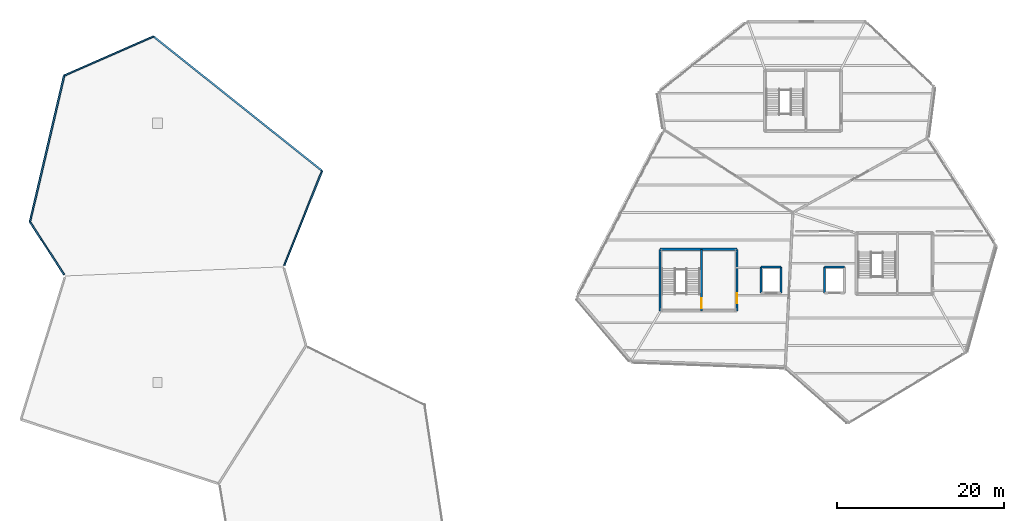
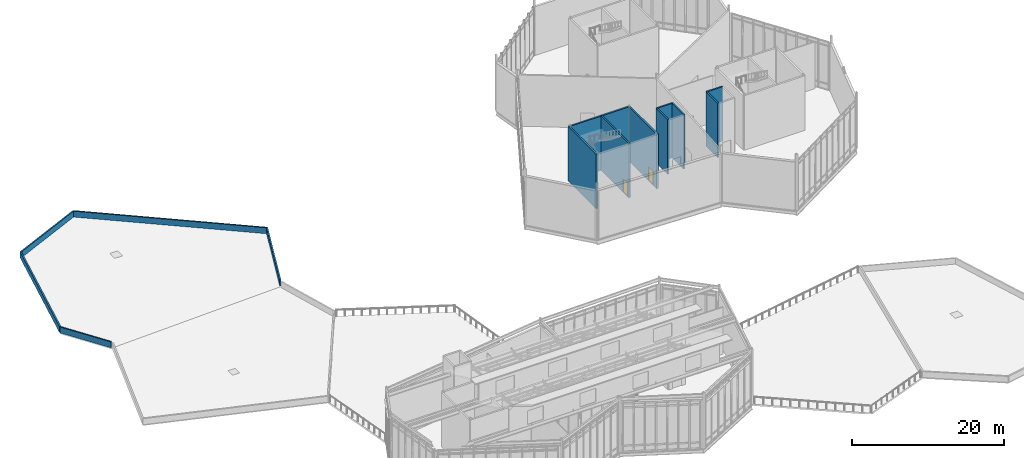
# One storey, part 59 of 66: 14 walls, 2 doors, 2 openings.
"""IFC4 building model written with IfcOpenShell, lengths in metres."""

from ifc_helpers import new_model, si_unit, direction, frame, frame_2d, origin, place, context, subcontext, project, spatial, rectangle, extrude, material, layer, layer_set, type_object, element, fill, save


model = new_model("IFC4")

# Units and contexts
model_context = context("Model", 3, precision=1e-05, world=origin(), true_north=direction((0.0, 1.0)))
body_context = subcontext(model_context, "Body", "Model", "MODEL_VIEW")
ifc_project = project(units=[si_unit("LENGTHUNIT", "METRE"), si_unit("AREAUNIT", "SQUARE_METRE"), si_unit("VOLUMEUNIT", "CUBIC_METRE"), si_unit("PLANEANGLEUNIT", "RADIAN"), si_unit("MASSUNIT", "GRAM", prefix="KILO")], contexts=[model_context])

# Site, building, storey
site_placement = place(None, origin())
site = spatial("IfcSite", under=ifc_project, at=site_placement, CompositionType="ELEMENT")
building_placement = place(site_placement, origin())
building = spatial("IfcBuilding", under=site, at=building_placement, Name="Tameran Prism Museum", CompositionType="ELEMENT")
storey_placement = place(building_placement, frame((0.0, 0.0, 19.800048828125)))
storey = spatial("IfcBuildingStorey", under=building, at=storey_placement, Name="L04", CompositionType="ELEMENT", Elevation=19.800048828125)

# Walls
ifc_material_1 = material(Name="Precast Concrete N40 (40 MPa)", Category="concrete")
ifc_layer_1 = layer(ifc_material_1, 0.195068359375)
ifc_layer_set_1 = layer_set([ifc_layer_1])
wall_type_1 = type_object("IfcWallType", Name="EW-PAR-195", PredefinedType="PARAPET", material=ifc_layer_set_1)
wall_1_placement = place(storey_placement, frame((57.866943359375, 82.76708984375, 0.0), z_axis=(0.0, 0.0, 1.0), x_axis=(0.371373433358, 0.928483587898, 0.0)))
element("IfcWall", 1, at=wall_1_placement, inside=storey, type_object=wall_type_1, Name="Roof Parapet EP-025", PredefinedType="PARAPET", context=body_context, shape_type="SweptSolid", body=[
    extrude(rectangle(XDim=12.205810546875, YDim=0.195068359375, at=frame_2d((6.10302734375, 0.0))), origin(), (0.0, 0.0, 1.0), 0.949951171875),
])
wall_2_placement = place(storey_placement, frame((42.199951171875, 110.199951171875, 0.0), z_axis=(0.0, 0.0, 1.0), x_axis=(-0.915568057854, -0.40216306573, 0.0)))
element("IfcWall", 2, at=wall_2_placement, inside=storey, type_object=wall_type_1, Name="Roof Parapet EP-027", PredefinedType="PARAPET", context=body_context, shape_type="SweptSolid", body=[
    extrude(rectangle(XDim=11.686767578125, YDim=0.195068359375, at=frame_2d((5.84326171875, 0.0))), origin(), (0.0, 0.0, 1.0), 0.949951171875),
])
wall_3_placement = place(storey_placement, frame((27.39990234375, 88.0, 0.0), z_axis=(0.0, 0.0, 1.0), x_axis=(0.542672619373, -0.839944300643, 0.0)))
element("IfcWall", 3, at=wall_3_placement, inside=storey, type_object=wall_type_1, Name="Roof Parapet EP-029", PredefinedType="PARAPET", context=body_context, shape_type="SweptSolid", body=[
    extrude(rectangle(XDim=7.55908203125, YDim=0.195068359375, at=frame_2d((3.779541015625, 0.0))), origin(), (0.0, 0.0, 1.0), 0.949951171875),
])
ifc_material_2 = material(Name="Precast Concrete N40 (40 MPa)", Category="concrete")
ifc_layer_2 = layer(ifc_material_2, 0.215087890625)
ifc_layer_set_2 = layer_set([ifc_layer_2])
wall_type_2 = type_object("IfcWallType", Name="EW-PAR-215", PredefinedType="PARAPET", material=ifc_layer_set_2)
wall_4_placement = place(storey_placement, frame((62.39990234375, 94.10009765625, 0.0), z_axis=(0.0, 0.0, 1.0), x_axis=(-0.78200261515, 0.623275147827, 0.0)))
element("IfcWall", 4, at=wall_4_placement, inside=storey, type_object=wall_type_2, Name="Roof Parapet EP-026", PredefinedType="PARAPET", context=body_context, shape_type="SweptSolid", body=[
    extrude(rectangle(XDim=25.8310546875, YDim=0.215087890625, at=frame_2d((12.91552734375, 0.0))), origin(), (0.0, 0.0, 1.0), 0.949951171875),
])
wall_5_placement = place(storey_placement, frame((31.5, 105.5, 0.0), z_axis=(0.0, 0.0, 1.0), x_axis=(-0.228114067381, -0.973634414071, 0.0)))
element("IfcWall", 5, at=wall_5_placement, inside=storey, type_object=wall_type_2, Name="Roof Parapet EP-028", PredefinedType="PARAPET", context=body_context, shape_type="SweptSolid", body=[
    extrude(rectangle(XDim=17.973876953125, YDim=0.215087890625, at=frame_2d((8.98681640625, 0.0))), origin(), (0.0, 0.0, 1.0), 0.949951171875),
])
ifc_material_3 = material(Name="Concrete N40 (40 MPa)", Category="concrete")
ifc_layer_3 = layer(ifc_material_3, 0.25)
ifc_layer_set_3 = layer_set([ifc_layer_3])
wall_type_3 = type_object("IfcWallType", Name="IW-COR-250", PredefinedType="SHEAR", material=ifc_layer_set_3)
wall_6_placement = place(storey_placement, frame((102.89990234375, 77.300048828125, 0.0), z_axis=(0.0, 0.0, 1.0), x_axis=(0.0, 1.0, 0.0)))
element("IfcWall", 6, at=wall_6_placement, inside=storey, type_object=wall_type_3, Name="Core Shear Wall CW-1-L04-W", PredefinedType="SHEAR", context=body_context, shape_type="SweptSolid", body=[
    extrude(rectangle(XDim=7.39990234375, YDim=0.25, at=frame_2d((3.699951171875, 0.0))), origin(), (0.0, 0.0, 1.0), 8.760009765625),
])
wall_7_placement = place(storey_placement, frame((102.89990234375, 84.699951171875, 0.0), z_axis=(0.0, 0.0, 1.0), x_axis=(1.0, 0.0, 0.0)))
element("IfcWall", 7, at=wall_7_placement, inside=storey, type_object=wall_type_3, Name="Core Shear Wall CW-1-L04-N", PredefinedType="SHEAR", context=body_context, shape_type="SweptSolid", body=[
    extrude(rectangle(XDim=9.2001953125, YDim=0.25, at=frame_2d((4.60009765625, 0.0))), origin(), (0.0, 0.0, 1.0), 8.760009765625),
])

# Wall, opening, door
wall_8_placement = place(storey_placement, frame((112.10009765625, 84.699951171875, 0.0), z_axis=(0.0, 0.0, 1.0), x_axis=(0.0, -1.0, 0.0)))
wall_8 = element("IfcWall", 8, at=wall_8_placement, inside=storey, type_object=wall_type_3, Name="Core Shear Wall CW-1-L04-E", PredefinedType="SHEAR", context=body_context, shape_type="SweptSolid", body=[
    extrude(rectangle(XDim=7.39990234375, YDim=0.25, at=frame_2d((3.699951171875, 0.0))), origin(), (0.0, 0.0, 1.0), 8.760009765625),
])
opening_1_placement = place(wall_8_placement, frame((5.25, 0.0, 0.0)))
opening_1 = element("IfcOpeningElement", 9, at=opening_1_placement, cuts=wall_8, Name="Opening FD-0179", PredefinedType="OPENING", context=body_context, shape_type="SweptSolid", body=[
    extrude(rectangle(XDim=1.199951171875, YDim=2.199951171875, at=frame_2d((0.60009765625, 1.10009765625))), frame((0.0, 0.135009765625, 0.0), z_axis=(0.0, -1.0, 0.0), x_axis=(1.0, 0.0, 0.0)), (0.0, 0.0, 1.0), 0.27001953125),
])
ifc_material_4 = material(Name="Fire-Rated Steel Door Leaf and Frame", Category="steel")
door_type = type_object("IfcDoorType", Name="DR-FD-120A", OperationType="NOTDEFINED", PredefinedType="DOOR", material=ifc_material_4)
door_1_placement = place(opening_1_placement, origin())
door_1 = element("IfcDoor", 10, at=door_1_placement, inside=storey, type_object=door_type, Name="Core Fire Door FD-0179", OperationType="SINGLE_SWING_LEFT", OverallHeight=2.199951171875, OverallWidth=1.199951171875, PredefinedType="DOOR", context=body_context, shape_type="SweptSolid", body=[
    extrude(rectangle(XDim=1.199951171875, YDim=2.199951171875, at=frame_2d((0.60009765625, 1.10009765625))), frame((0.0, 0.02490234375, 0.0), z_axis=(0.0, -1.0, 0.0), x_axis=(1.0, 0.0, 0.0)), (0.0, 0.0, 1.0), 0.050048828125),
])
fill(opening_1, door_1)

wall_9_placement = place(storey_placement, frame((107.85009765625, 84.699951171875, 0.0), z_axis=(0.0, 0.0, 1.0), x_axis=(0.0, -1.0, 0.0)))
wall_9 = element("IfcWall", 11, at=wall_9_placement, inside=storey, type_object=wall_type_3, Name="Core Shear Wall CW-1-L04-M", PredefinedType="SHEAR", context=body_context, shape_type="SweptSolid", body=[
    extrude(rectangle(XDim=7.39990234375, YDim=0.25, at=frame_2d((3.699951171875, 0.0))), origin(), (0.0, 0.0, 1.0), 8.760009765625),
])
opening_2_placement = place(wall_9_placement, frame((5.85009765625, 0.0, 0.0)))
opening_2 = element("IfcOpeningElement", 12, at=opening_2_placement, cuts=wall_9, Name="Opening FD-0180", PredefinedType="OPENING", context=body_context, shape_type="SweptSolid", body=[
    extrude(rectangle(XDim=1.199951171875, YDim=2.199951171875, at=frame_2d((0.60009765625, 1.10009765625))), frame((0.0, 0.135009765625, 0.0), z_axis=(0.0, -1.0, 0.0), x_axis=(1.0, 0.0, 0.0)), (0.0, 0.0, 1.0), 0.27001953125),
])
door_2_placement = place(opening_2_placement, origin())
door_2 = element("IfcDoor", 13, at=door_2_placement, inside=storey, type_object=door_type, Name="Core Fire Door FD-0180", OperationType="SINGLE_SWING_RIGHT", OverallHeight=2.199951171875, OverallWidth=1.199951171875, PredefinedType="DOOR", context=body_context, shape_type="SweptSolid", body=[
    extrude(rectangle(XDim=1.199951171875, YDim=2.199951171875, at=frame_2d((0.60009765625, 1.10009765625))), frame((0.0, 0.02490234375, 0.0), z_axis=(0.0, -1.0, 0.0), x_axis=(1.0, 0.0, 0.0)), (0.0, 0.0, 1.0), 0.050048828125),
])
fill(opening_2, door_2)

# Walls
ifc_material_5 = material(Name="Concrete N40 (40 MPa)", Category="concrete")
ifc_layer_4 = layer(ifc_material_5, 0.239990234375)
ifc_layer_set_4 = layer_set([ifc_layer_4])
wall_type_4 = type_object("IfcWallType", Name="IW-LFT-240", PredefinedType="SHEAR", material=ifc_layer_set_4)
wall_10_placement = place(storey_placement, frame((115.0, 82.550048828125, 0.0), z_axis=(0.0, 0.0, 1.0), x_axis=(1.0, 0.0, 0.0)))
element("IfcWall", 14, at=wall_10_placement, inside=storey, type_object=wall_type_4, Name="Lift Shaft Wall LW-EL01-L04N", PredefinedType="SHEAR", context=body_context, shape_type="SweptSolid", body=[
    extrude(rectangle(XDim=2.39990234375, YDim=0.239990234375, at=frame_2d((1.199951171875, 0.0))), origin(), (0.0, 0.0, 1.0), 8.760009765625),
])
for number, where, z_axis, x_axis, name in (
    (15, (117.39990234375, 82.550048828125, 0.0), (0.0, 0.0, 1.0), (0.0, -1.0, 0.0), "Lift Shaft Wall LW-EL01-L04E"),
    (16, (115.0, 79.449951171875, 0.0), (0.0, 0.0, 1.0), (0.0, 1.0, 0.0), "Lift Shaft Wall LW-EL01-L04W"),
):
    element("IfcWall", number, at=place(storey_placement, frame(where, z_axis=z_axis, x_axis=x_axis)), inside=storey, type_object=wall_type_4, Name=name, PredefinedType="SHEAR", context=body_context, shape_type="SweptSolid", body=[
        extrude(rectangle(XDim=3.10009765625, YDim=0.239990234375, at=frame_2d((1.550048828125, 0.0))), origin(), (0.0, 0.0, 1.0), 8.760009765625),
    ])
wall_11_placement = place(storey_placement, frame((122.60009765625, 82.550048828125, 0.0), z_axis=(0.0, 0.0, 1.0), x_axis=(1.0, 0.0, 0.0)))
element("IfcWall", 17, at=wall_11_placement, inside=storey, type_object=wall_type_4, Name="Lift Shaft Wall LW-EL02-L04N", PredefinedType="SHEAR", context=body_context, shape_type="SweptSolid", body=[
    extrude(rectangle(XDim=2.39990234375, YDim=0.239990234375, at=frame_2d((1.199951171875, 0.0))), origin(), (0.0, 0.0, 1.0), 8.760009765625),
])
wall_12_placement = place(storey_placement, frame((122.60009765625, 79.449951171875, 0.0), z_axis=(0.0, 0.0, 1.0), x_axis=(0.0, 1.0, 0.0)))
element("IfcWall", 18, at=wall_12_placement, inside=storey, type_object=wall_type_4, Name="Lift Shaft Wall LW-EL02-L04W", PredefinedType="SHEAR", context=body_context, shape_type="SweptSolid", body=[
    extrude(rectangle(XDim=3.10009765625, YDim=0.239990234375, at=frame_2d((1.550048828125, 0.0))), origin(), (0.0, 0.0, 1.0), 8.760009765625),
])

save(model, "model.ifc")
